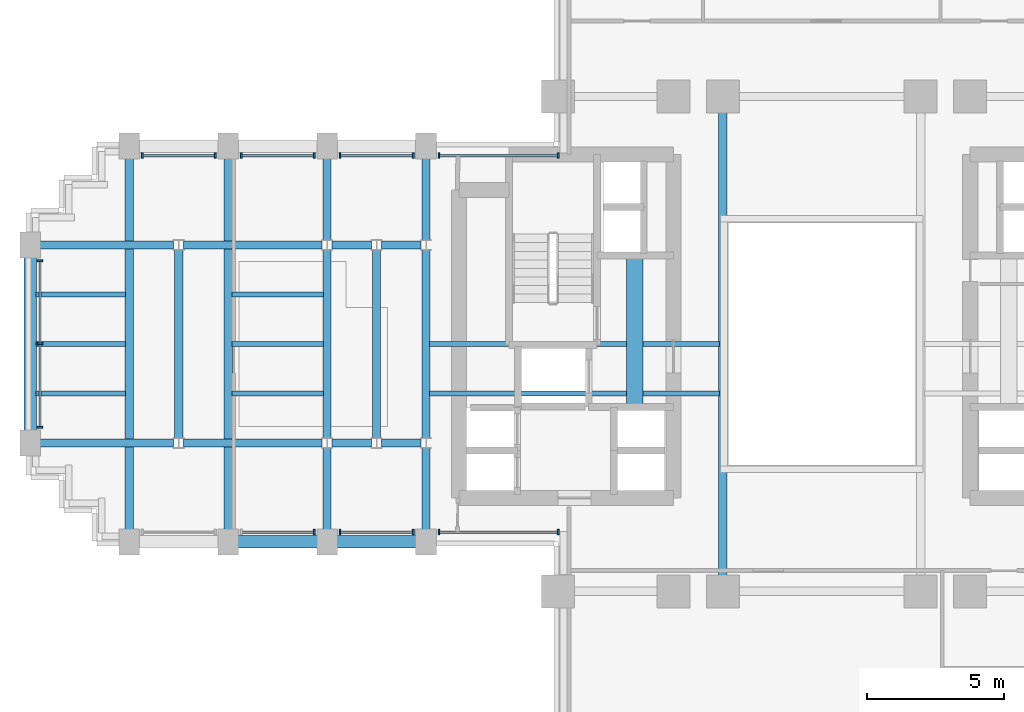
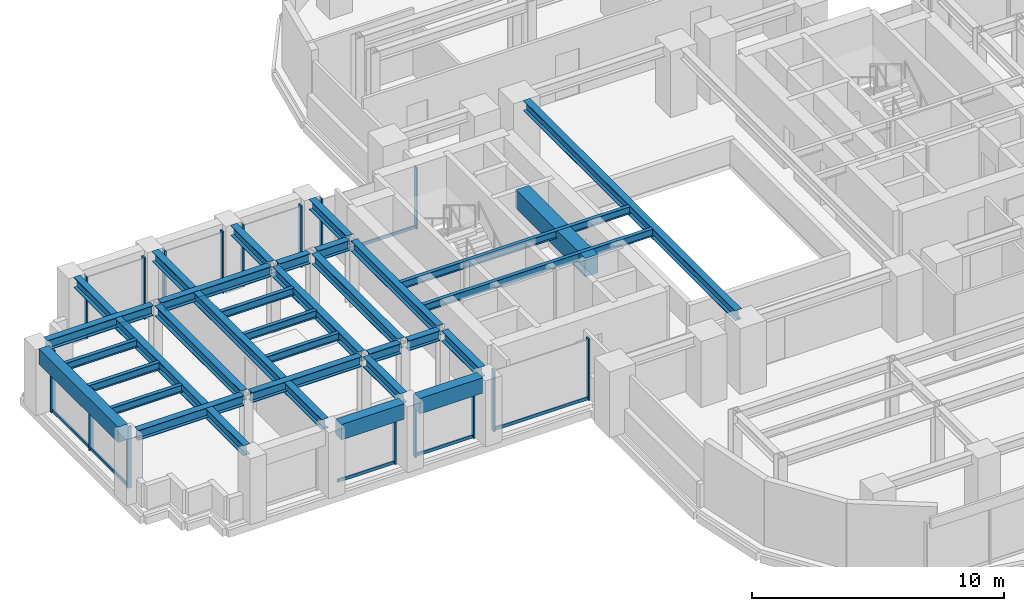
# One storey, part 4 of 16: 31 beams, 25 members, 8 elements without a shape of their own.
"""IFC4 building model written with IfcOpenShell, lengths in metres."""

from ifc_helpers import new_model, si_unit, direction, frame, origin, origin_2d, place, context, subcontext, project, spatial, rectangle, i_section, extrude, source, transform, mapped, material, material_profile, profile_set, type_object, element, aggregate, save


model = new_model("IFC4")

# Units and contexts
model_context = context("Model", 3, precision=1e-05, world=origin(), true_north=direction((0.0, 1.0)))
body_context = subcontext(model_context, "Body", "Model", "MODEL_VIEW")
ifc_project = project(units=[si_unit("LENGTHUNIT", "METRE"), si_unit("AREAUNIT", "SQUARE_METRE"), si_unit("VOLUMEUNIT", "CUBIC_METRE"), si_unit("PLANEANGLEUNIT", "RADIAN"), si_unit("MASSUNIT", "GRAM", prefix="KILO")], contexts=[model_context])

# Site, building, storey
site_placement = place(None, origin())
site = spatial("IfcSite", under=ifc_project, at=site_placement, CompositionType="ELEMENT")
building_placement = place(site_placement, origin())
building = spatial("IfcBuilding", under=site, at=building_placement, Name="Keilestroom Media Tower", CompositionType="ELEMENT")
storey_placement = place(building_placement, frame((0.0, 0.0, 61.199951171875)))
storey = spatial("IfcBuildingStorey", under=building, at=storey_placement, Name="L15", CompositionType="ELEMENT", Elevation=61.199951171875)

# Beams
ifc_material_1 = material(Name="Concrete C70/85", Category="concrete")
ifc_material_profile_1 = material_profile(ifc_material_1, rectangle(XDim=0.60009765625, YDim=0.89990234375, at=origin_2d()), Name="RC 600x900")
ifc_profile_set_1 = profile_set([ifc_material_profile_1], Name="Concrete C70/85")
beam_type_1 = type_object("IfcBeamType", Name="Core-Coupling-Lintel-Beam-RC-600x900", PredefinedType="LINTEL", material=ifc_profile_set_1)
shared_shape_1 = source(origin(), body_context, "Body", "SweptSolid", [
    extrude(rectangle(XDim=0.60009765625, YDim=0.89990234375, at=origin_2d()), origin(), (0.0, 0.0, 1.0), 5.52001953125),
])
beam_1_placement = place(storey_placement, frame((-6.800048828125, -2.300048828125, 2.75), z_axis=(0.0, 1.0, 0.0), x_axis=(-1.0, 0.0, 0.0)))
element("IfcBeam", 1, at=beam_1_placement, inside=storey, type_object=beam_type_1, Name="L15 Beam CLB-1 CLB-L15-W", PredefinedType="LINTEL", context=body_context, shape_type="MappedRepresentation", body=[
    mapped(shared_shape_1, transform((0.0, 0.0, 0.0), x_axis=(1.0, 0.0, 0.0), y_axis=(0.0, 1.0, 0.0), z_axis=(0.0, 0.0, 1.0), scale=1.0)),
])
ifc_material_2 = material(Name="Precast concrete C40/50", Category="concrete")
ifc_material_profile_2 = material_profile(ifc_material_2, rectangle(XDim=0.449951171875, YDim=0.75, at=origin_2d()), Name="PC 450x750")
ifc_profile_set_2 = profile_set([ifc_material_profile_2], Name="Precast concrete C40/50")
beam_type_2 = type_object("IfcBeamType", Name="Perimeter-Spandrel-Beam-PC-450x750", PredefinedType="SPANDREL", material=ifc_profile_set_2)
shared_shape_2 = source(origin(), body_context, "Body", "SweptSolid", [
    extrude(rectangle(XDim=0.449951171875, YDim=0.75, at=origin_2d()), origin(), (0.0, 0.0, 1.0), 6.2900390625),
])
beam_2_placement = place(storey_placement, frame((-28.800048828125, -3.14501953125, 2.824951171875), z_axis=(0.0, 1.0, 0.0), x_axis=(-1.0, 0.0, 0.0)))
element("IfcBeam", 2, at=beam_2_placement, inside=storey, type_object=beam_type_2, Name="L15 Beam SPB-1 BM-L15-NS-051", PredefinedType="SPANDREL", context=body_context, shape_type="MappedRepresentation", body=[
    mapped(shared_shape_2, transform((0.0, 0.0, 0.0), x_axis=(1.0, 0.0, 0.0), y_axis=(0.0, 1.0, 0.0), z_axis=(0.0, 0.0, 1.0), scale=1.0)),
])
shared_shape_3 = source(origin(), body_context, "Body", "SweptSolid", [
    extrude(rectangle(XDim=0.449951171875, YDim=0.75, at=origin_2d()), origin(), (0.0, 0.0, 1.0), 2.89013671875),
])
for number, where, z_axis, x_axis, name in (
    (3, (-21.2451171875, -7.199951171875, 2.824951171875), (1.0, 0.0, 0.0), (0.0, 1.0, 0.0), "L15 Beam SPB-1 BM-L15-EW-013"),
    (4, (-17.64501953125, -7.199951171875, 2.824951171875), (1.0, 0.0, 0.0), (0.0, 1.0, 0.0), "L15 Beam SPB-1 BM-L15-EW-014"),
):
    element("IfcBeam", number, at=place(storey_placement, frame(where, z_axis=z_axis, x_axis=x_axis)), inside=storey, type_object=beam_type_2, Name=name, PredefinedType="SPANDREL", context=body_context, shape_type="MappedRepresentation", body=[
        mapped(shared_shape_3, transform((0.0, 0.0, 0.0), x_axis=(1.0, 0.0, 0.0), y_axis=(0.0, 1.0, 0.0), z_axis=(0.0, 0.0, 1.0), scale=1.0)),
    ])
ifc_material_3 = material(Name="Steel S355", Category="steel")
ifc_material_profile_3 = material_profile(ifc_material_3, i_section(OverallWidth=0.300048828125, OverallDepth=0.5, WebThickness=0.012451171875, FlangeThickness=0.028076171875, at=origin_2d()), Name="HEB 500")
ifc_profile_set_3 = profile_set([ifc_material_profile_3], Name="Steel S355")
beam_type_3 = type_object("IfcBeamType", Name="Primary-Structural-Girder-HEB-500", PredefinedType="BEAM", material=ifc_profile_set_3)
shared_shape_4 = source(origin(), body_context, "Body", "SweptSolid", [
    extrude(i_section(OverallWidth=0.300048828125, OverallDepth=0.5, WebThickness=0.012451171875, FlangeThickness=0.028076171875, at=origin_2d()), origin(), (0.0, 0.0, 1.0), 13.490234375),
])
for number, where, z_axis, x_axis, name in (
    (5, (-25.199951171875, -6.7451171875, 2.949951171875), (0.0, 1.0, 0.0), (-1.0, 0.0, 0.0), "L15 Beam BG-6 BM-L15-NS-052"),
    (6, (-21.60009765625, -6.7451171875, 2.949951171875), (0.0, 1.0, 0.0), (-1.0, 0.0, 0.0), "L15 Beam BG-6 BM-L15-NS-054"),
):
    element("IfcBeam", number, at=place(storey_placement, frame(where, z_axis=z_axis, x_axis=x_axis)), inside=storey, type_object=beam_type_3, Name=name, PredefinedType="BEAM", context=body_context, shape_type="MappedRepresentation", body=[
        mapped(shared_shape_4, transform((0.0, 0.0, 0.0), x_axis=(1.0, 0.0, 0.0), y_axis=(0.0, 1.0, 0.0), z_axis=(0.0, 0.0, 1.0), scale=1.0)),
    ])
shared_shape_5 = source(origin(), body_context, "Body", "SweptSolid", [
    extrude(i_section(OverallWidth=0.300048828125, OverallDepth=0.5, WebThickness=0.012451171875, FlangeThickness=0.028076171875, at=origin_2d()), origin(), (0.0, 0.0, 1.0), 6.8330078125),
])
for number, where, z_axis, x_axis, name in (
    (7, (-23.39990234375, -3.41650390625, 2.949951171875), (0.0, 1.0, 0.0), (-1.0, 0.0, 0.0), "L15 Beam BG-6 BM-L15-NS-053"),
    (8, (-18.0, -3.41650390625, 2.949951171875), (0.0, 1.0, 0.0), (-1.0, 0.0, 0.0), "L15 Beam BG-6 BM-L15-NS-056"),
    (9, (-16.199951171875, -3.41650390625, 2.949951171875), (0.0, 1.0, 0.0), (-1.0, 0.0, 0.0), "L15 Beam BG-6 BM-L15-NS-058"),
    (10, (-14.39990234375, -3.41650390625, 2.949951171875), (0.0, 1.0, 0.0), (-1.0, 0.0, 0.0), "L15 Beam BG-6 BM-L15-NS-060"),
):
    element("IfcBeam", number, at=place(storey_placement, frame(where, z_axis=z_axis, x_axis=x_axis)), inside=storey, type_object=beam_type_3, Name=name, PredefinedType="BEAM", context=body_context, shape_type="MappedRepresentation", body=[
        mapped(shared_shape_5, transform((0.0, 0.0, 0.0), x_axis=(1.0, 0.0, 0.0), y_axis=(0.0, 1.0, 0.0), z_axis=(0.0, 0.0, 1.0), scale=1.0)),
    ])
shared_shape_6 = source(origin(), body_context, "Body", "SweptSolid", [
    extrude(i_section(OverallWidth=0.300048828125, OverallDepth=0.5, WebThickness=0.012451171875, FlangeThickness=0.028076171875, at=origin_2d()), origin(), (0.0, 0.0, 1.0), 2.961669921875),
])
for number, where, z_axis, x_axis, name in (
    (11, (-18.0, -6.7451171875, 2.949951171875), (0.0, 1.0, 0.0), (-1.0, 0.0, 0.0), "L15 Beam BG-6 BM-L15-NS-055"),
    (12, (-18.0, 3.783447265625, 2.949951171875), (0.0, 1.0, 0.0), (-1.0, 0.0, 0.0), "L15 Beam BG-6 BM-L15-NS-057"),
    (13, (-14.39990234375, -6.7451171875, 2.949951171875), (0.0, 1.0, 0.0), (-1.0, 0.0, 0.0), "L15 Beam BG-6 BM-L15-NS-059"),
    (14, (-14.39990234375, 3.783447265625, 2.949951171875), (0.0, 1.0, 0.0), (-1.0, 0.0, 0.0), "L15 Beam BG-6 BM-L15-NS-061"),
):
    element("IfcBeam", number, at=place(storey_placement, frame(where, z_axis=z_axis, x_axis=x_axis)), inside=storey, type_object=beam_type_3, Name=name, PredefinedType="BEAM", context=body_context, shape_type="MappedRepresentation", body=[
        mapped(shared_shape_6, transform((0.0, 0.0, 0.0), x_axis=(1.0, 0.0, 0.0), y_axis=(0.0, 1.0, 0.0), z_axis=(0.0, 0.0, 1.0), scale=1.0)),
    ])
shared_shape_7 = source(origin(), body_context, "Body", "SweptSolid", [
    extrude(i_section(OverallWidth=0.300048828125, OverallDepth=0.5, WebThickness=0.012451171875, FlangeThickness=0.028076171875, at=origin_2d()), origin(), (0.0, 0.0, 1.0), 16.83984375),
])
beam_3_placement = place(storey_placement, frame((-3.60009765625, -8.419921875, 2.949951171875), z_axis=(0.0, 1.0, 0.0), x_axis=(-1.0, 0.0, 0.0)))
element("IfcBeam", 15, at=beam_3_placement, inside=storey, type_object=beam_type_3, Name="L15 Beam BG-6 BM-L15-NS-066", PredefinedType="BEAM", context=body_context, shape_type="MappedRepresentation", body=[
    mapped(shared_shape_7, transform((0.0, 0.0, 0.0), x_axis=(1.0, 0.0, 0.0), y_axis=(0.0, 1.0, 0.0), z_axis=(0.0, 0.0, 1.0), scale=1.0)),
])
ifc_material_profile_4 = material_profile(ifc_material_3, i_section(OverallWidth=0.300048828125, OverallDepth=0.489990234375, WebThickness=0.011962890625, FlangeThickness=0.02294921875, at=origin_2d()), Name="HEA 500")
ifc_profile_set_4 = profile_set([ifc_material_profile_4], Name="Steel S355")
beam_type_4 = type_object("IfcBeamType", Name="Primary-Structural-Girder-HEA-500", PredefinedType="BEAM", material=ifc_profile_set_4)
shared_shape_8 = source(origin(), body_context, "Body", "SweptSolid", [
    extrude(i_section(OverallWidth=0.300048828125, OverallDepth=0.489990234375, WebThickness=0.011962890625, FlangeThickness=0.02294921875, at=origin_2d()), origin(), (0.0, 0.0, 1.0), 4.863037109375),
])
for number, where, z_axis, x_axis, name in (
    (16, (-28.445068359375, -3.60009765625, 2.955078125), (1.0, 0.0, 0.0), (0.0, 1.0, 0.0), "L15 Beam BG-10 BM-L15-EW-018"),
    (17, (-28.445068359375, 3.60009765625, 2.955078125), (1.0, 0.0, 0.0), (0.0, 1.0, 0.0), "L15 Beam BG-10 BM-L15-EW-026"),
):
    element("IfcBeam", number, at=place(storey_placement, frame(where, z_axis=z_axis, x_axis=x_axis)), inside=storey, type_object=beam_type_4, Name=name, PredefinedType="BEAM", context=body_context, shape_type="MappedRepresentation", body=[
        mapped(shared_shape_8, transform((0.0, 0.0, 0.0), x_axis=(1.0, 0.0, 0.0), y_axis=(0.0, 1.0, 0.0), z_axis=(0.0, 0.0, 1.0), scale=1.0)),
    ])
shared_shape_9 = source(origin(), body_context, "Body", "SweptSolid", [
    extrude(i_section(OverallWidth=0.300048828125, OverallDepth=0.489990234375, WebThickness=0.011962890625, FlangeThickness=0.02294921875, at=origin_2d()), origin(), (0.0, 0.0, 1.0), 5.0361328125),
])
for number, where, z_axis, x_axis, name in (
    (18, (-23.218017578125, -3.60009765625, 2.955078125), (1.0, 0.0, 0.0), (0.0, 1.0, 0.0), "L15 Beam BG-10 BM-L15-EW-019"),
    (19, (-23.218017578125, 3.60009765625, 2.955078125), (1.0, 0.0, 0.0), (0.0, 1.0, 0.0), "L15 Beam BG-10 BM-L15-EW-027"),
):
    element("IfcBeam", number, at=place(storey_placement, frame(where, z_axis=z_axis, x_axis=x_axis)), inside=storey, type_object=beam_type_4, Name=name, PredefinedType="BEAM", context=body_context, shape_type="MappedRepresentation", body=[
        mapped(shared_shape_9, transform((0.0, 0.0, 0.0), x_axis=(1.0, 0.0, 0.0), y_axis=(0.0, 1.0, 0.0), z_axis=(0.0, 0.0, 1.0), scale=1.0)),
    ])
shared_shape_10 = source(origin(), body_context, "Body", "SweptSolid", [
    extrude(i_section(OverallWidth=0.300048828125, OverallDepth=0.489990234375, WebThickness=0.011962890625, FlangeThickness=0.02294921875, at=origin_2d()), origin(), (0.0, 0.0, 1.0), 1.43603515625),
])
for number, where, z_axis, x_axis, name in (
    (20, (-17.818115234375, -3.60009765625, 2.955078125), (1.0, 0.0, 0.0), (0.0, 1.0, 0.0), "L15 Beam BG-10 BM-L15-EW-020"),
    (21, (-16.01806640625, -3.60009765625, 2.955078125), (1.0, 0.0, 0.0), (0.0, 1.0, 0.0), "L15 Beam BG-10 BM-L15-EW-021"),
    (22, (-17.818115234375, 3.60009765625, 2.955078125), (1.0, 0.0, 0.0), (0.0, 1.0, 0.0), "L15 Beam BG-10 BM-L15-EW-028"),
    (23, (-16.01806640625, 3.60009765625, 2.955078125), (1.0, 0.0, 0.0), (0.0, 1.0, 0.0), "L15 Beam BG-10 BM-L15-EW-029"),
):
    element("IfcBeam", number, at=place(storey_placement, frame(where, z_axis=z_axis, x_axis=x_axis)), inside=storey, type_object=beam_type_4, Name=name, PredefinedType="BEAM", context=body_context, shape_type="MappedRepresentation", body=[
        mapped(shared_shape_10, transform((0.0, 0.0, 0.0), x_axis=(1.0, 0.0, 0.0), y_axis=(0.0, 1.0, 0.0), z_axis=(0.0, 0.0, 1.0), scale=1.0)),
    ])
ifc_material_profile_5 = material_profile(ifc_material_3, i_section(OverallWidth=0.169921875, OverallDepth=0.360107421875, WebThickness=0.008056640625, FlangeThickness=0.0126953125, at=origin_2d()), Name="IPE 360")
ifc_profile_set_5 = profile_set([ifc_material_profile_5], Name="Steel S355")
beam_type_5 = type_object("IfcBeamType", Name="Secondary-Floor-Joist-IPE-360", PredefinedType="JOIST", material=ifc_profile_set_5)
shared_shape_11 = source(origin(), body_context, "Body", "SweptSolid", [
    extrude(i_section(OverallWidth=0.169921875, OverallDepth=0.360107421875, WebThickness=0.008056640625, FlangeThickness=0.0126953125, at=origin_2d()), origin(), (0.0, 0.0, 1.0), 3.264892578125),
])
for number, where, z_axis, x_axis, name in (
    (24, (-28.594970703125, -1.800048828125, 3.02001953125), (1.0, 0.0, 0.0), (0.0, 1.0, 0.0), "L15 Beam BJ-5 JST-L15-089"),
    (25, (-28.594970703125, 0.0, 3.02001953125), (1.0, 0.0, 0.0), (0.0, 1.0, 0.0), "L15 Beam BJ-5 JST-L15-096"),
    (26, (-28.594970703125, 1.800048828125, 3.02001953125), (1.0, 0.0, 0.0), (0.0, 1.0, 0.0), "L15 Beam BJ-5 JST-L15-103"),
):
    element("IfcBeam", number, at=place(storey_placement, frame(where, z_axis=z_axis, x_axis=x_axis)), inside=storey, type_object=beam_type_5, Name=name, PredefinedType="JOIST", context=body_context, shape_type="MappedRepresentation", body=[
        mapped(shared_shape_11, transform((0.0, 0.0, 0.0), x_axis=(1.0, 0.0, 0.0), y_axis=(0.0, 1.0, 0.0), z_axis=(0.0, 0.0, 1.0), scale=1.0)),
    ])
shared_shape_12 = source(origin(), body_context, "Body", "SweptSolid", [
    extrude(i_section(OverallWidth=0.169921875, OverallDepth=0.360107421875, WebThickness=0.008056640625, FlangeThickness=0.0126953125, at=origin_2d()), origin(), (0.0, 0.0, 1.0), 3.340087890625),
])
for number, where, z_axis, x_axis, name in (
    (27, (-21.469970703125, -1.800048828125, 3.02001953125), (1.0, 0.0, 0.0), (0.0, 1.0, 0.0), "L15 Beam BJ-5 JST-L15-090"),
    (28, (-21.469970703125, 0.0, 3.02001953125), (1.0, 0.0, 0.0), (0.0, 1.0, 0.0), "L15 Beam BJ-5 JST-L15-097"),
    (29, (-21.469970703125, 1.800048828125, 3.02001953125), (1.0, 0.0, 0.0), (0.0, 1.0, 0.0), "L15 Beam BJ-5 JST-L15-104"),
):
    element("IfcBeam", number, at=place(storey_placement, frame(where, z_axis=z_axis, x_axis=x_axis)), inside=storey, type_object=beam_type_5, Name=name, PredefinedType="JOIST", context=body_context, shape_type="MappedRepresentation", body=[
        mapped(shared_shape_12, transform((0.0, 0.0, 0.0), x_axis=(1.0, 0.0, 0.0), y_axis=(0.0, 1.0, 0.0), z_axis=(0.0, 0.0, 1.0), scale=1.0)),
    ])
shared_shape_13 = source(origin(), body_context, "Body", "SweptSolid", [
    extrude(i_section(OverallWidth=0.169921875, OverallDepth=0.360107421875, WebThickness=0.008056640625, FlangeThickness=0.0126953125, at=origin_2d()), origin(), (0.0, 0.0, 1.0), 10.5400390625),
])
for number, where, z_axis, x_axis, name in (
    (30, (-14.27001953125, -1.800048828125, 3.02001953125), (1.0, 0.0, 0.0), (0.0, 1.0, 0.0), "L15 Beam BJ-5 JST-L15-091"),
    (31, (-14.27001953125, 0.0, 3.02001953125), (1.0, 0.0, 0.0), (0.0, 1.0, 0.0), "L15 Beam BJ-5 JST-L15-098"),
):
    element("IfcBeam", number, at=place(storey_placement, frame(where, z_axis=z_axis, x_axis=x_axis)), inside=storey, type_object=beam_type_5, Name=name, PredefinedType="JOIST", context=body_context, shape_type="MappedRepresentation", body=[
        mapped(shared_shape_13, transform((0.0, 0.0, 0.0), x_axis=(1.0, 0.0, 0.0), y_axis=(0.0, 1.0, 0.0), z_axis=(0.0, 0.0, 1.0), scale=1.0)),
    ])

# Curtain wall, members
ifc_material_4 = material(Name="Anodised Aluminium Alloy", Category="aluminium")
curtain_wall_type = type_object("IfcCurtainWallType", Name="Unitised-Curtain-Wall-CW-1", PredefinedType="NOTDEFINED", material=ifc_material_4)
curtain_wall_1_placement = place(storey_placement, origin())
curtain_wall_1 = element("IfcCurtainWall", 32, at=curtain_wall_1_placement, inside=storey, type_object=curtain_wall_type, Name="L15 Curtain Wall CW-1 CW-L15-W-1", PredefinedType="NOTDEFINED")
ifc_material_profile_6 = material_profile(ifc_material_4, rectangle(XDim=0.070068359375, YDim=0.199951171875, at=origin_2d()), Name="ALU MULLION 70x200")
ifc_profile_set_6 = profile_set([ifc_material_profile_6], Name="Anodised Aluminium Alloy")
member_type_1 = type_object("IfcMemberType", Name="Curtain-Wall-Mullion-CW-1", PredefinedType="MULLION", material=ifc_profile_set_6)
shared_shape_14 = source(origin(), body_context, "Body", "SweptSolid", [
    extrude(rectangle(XDim=0.070068359375, YDim=0.199951171875, at=origin_2d()), origin(), (0.0, 0.0, 1.0), 2.97998046875),
])
member_1_placement = place(storey_placement, frame((-28.449951171875, -3.030029296875, 0.0), z_axis=(0.0, 0.0, 1.0), x_axis=(0.0, 1.0, 0.0)))
member_1 = element("IfcMember", 33, at=member_1_placement, type_object=member_type_1, Name="CW-1 Mullion 00", PredefinedType="MULLION", context=body_context, shape_type="MappedRepresentation", body=[
    mapped(shared_shape_14, transform((0.0, 0.0, 0.0), x_axis=(1.0, 0.0, 0.0), y_axis=(0.0, 1.0, 0.0), z_axis=(0.0, 0.0, 1.0), scale=1.0)),
])
member_2_placement = place(storey_placement, frame((-28.449951171875, 0.0, 0.0), z_axis=(0.0, 0.0, 1.0), x_axis=(0.0, 1.0, 0.0)))
member_2 = element("IfcMember", 34, at=member_2_placement, type_object=member_type_1, Name="CW-1 Mullion 01", PredefinedType="MULLION", context=body_context, shape_type="MappedRepresentation", body=[
    mapped(shared_shape_14, transform((0.0, 0.0, 0.0), x_axis=(1.0, 0.0, 0.0), y_axis=(0.0, 1.0, 0.0), z_axis=(0.0, 0.0, 1.0), scale=1.0)),
])
member_3_placement = place(storey_placement, frame((-28.449951171875, 3.030029296875, 0.0), z_axis=(0.0, 0.0, 1.0), x_axis=(0.0, 1.0, 0.0)))
member_3 = element("IfcMember", 35, at=member_3_placement, type_object=member_type_1, Name="CW-1 Mullion 02", PredefinedType="MULLION", context=body_context, shape_type="MappedRepresentation", body=[
    mapped(shared_shape_14, transform((0.0, 0.0, 0.0), x_axis=(1.0, 0.0, 0.0), y_axis=(0.0, 1.0, 0.0), z_axis=(0.0, 0.0, 1.0), scale=1.0)),
])

curtain_wall_2_placement = place(storey_placement, origin())
curtain_wall_2 = element("IfcCurtainWall", 36, at=curtain_wall_2_placement, inside=storey, type_object=curtain_wall_type, Name="L15 Curtain Wall CW-1 CW-L15-NW-1", PredefinedType="NOTDEFINED")
member_4_placement = place(storey_placement, frame((-24.72998046875, 6.85009765625, 0.0), z_axis=(0.0, 0.0, 1.0), x_axis=(1.0, 0.0, 0.0)))
member_4 = element("IfcMember", 37, at=member_4_placement, type_object=member_type_1, Name="CW-1 Mullion 00", PredefinedType="MULLION", context=body_context, shape_type="MappedRepresentation", body=[
    mapped(shared_shape_14, transform((0.0, 0.0, 0.0), x_axis=(1.0, 0.0, 0.0), y_axis=(0.0, 1.0, 0.0), z_axis=(0.0, 0.0, 1.0), scale=1.0)),
])
member_5_placement = place(storey_placement, frame((-22.070068359375, 6.85009765625, 0.0), z_axis=(0.0, 0.0, 1.0), x_axis=(1.0, 0.0, 0.0)))
member_5 = element("IfcMember", 38, at=member_5_placement, type_object=member_type_1, Name="CW-1 Mullion 01", PredefinedType="MULLION", context=body_context, shape_type="MappedRepresentation", body=[
    mapped(shared_shape_14, transform((0.0, 0.0, 0.0), x_axis=(1.0, 0.0, 0.0), y_axis=(0.0, 1.0, 0.0), z_axis=(0.0, 0.0, 1.0), scale=1.0)),
])

curtain_wall_3_placement = place(storey_placement, origin())
curtain_wall_3 = element("IfcCurtainWall", 39, at=curtain_wall_3_placement, inside=storey, type_object=curtain_wall_type, Name="L15 Curtain Wall CW-1 CW-L15-NW-2", PredefinedType="NOTDEFINED")
member_6_placement = place(storey_placement, frame((-21.1298828125, 6.85009765625, 0.0), z_axis=(0.0, 0.0, 1.0), x_axis=(1.0, 0.0, 0.0)))
member_6 = element("IfcMember", 40, at=member_6_placement, type_object=member_type_1, Name="CW-1 Mullion 00", PredefinedType="MULLION", context=body_context, shape_type="MappedRepresentation", body=[
    mapped(shared_shape_14, transform((0.0, 0.0, 0.0), x_axis=(1.0, 0.0, 0.0), y_axis=(0.0, 1.0, 0.0), z_axis=(0.0, 0.0, 1.0), scale=1.0)),
])
member_7_placement = place(storey_placement, frame((-18.469970703125, 6.85009765625, 0.0), z_axis=(0.0, 0.0, 1.0), x_axis=(1.0, 0.0, 0.0)))
member_7 = element("IfcMember", 41, at=member_7_placement, type_object=member_type_1, Name="CW-1 Mullion 01", PredefinedType="MULLION", context=body_context, shape_type="MappedRepresentation", body=[
    mapped(shared_shape_14, transform((0.0, 0.0, 0.0), x_axis=(1.0, 0.0, 0.0), y_axis=(0.0, 1.0, 0.0), z_axis=(0.0, 0.0, 1.0), scale=1.0)),
])

curtain_wall_4_placement = place(storey_placement, origin())
curtain_wall_4 = element("IfcCurtainWall", 42, at=curtain_wall_4_placement, inside=storey, type_object=curtain_wall_type, Name="L15 Curtain Wall CW-1 CW-L15-NW-3", PredefinedType="NOTDEFINED")
member_8_placement = place(storey_placement, frame((-17.530029296875, 6.85009765625, 0.0), z_axis=(0.0, 0.0, 1.0), x_axis=(1.0, 0.0, 0.0)))
member_8 = element("IfcMember", 43, at=member_8_placement, type_object=member_type_1, Name="CW-1 Mullion 00", PredefinedType="MULLION", context=body_context, shape_type="MappedRepresentation", body=[
    mapped(shared_shape_14, transform((0.0, 0.0, 0.0), x_axis=(1.0, 0.0, 0.0), y_axis=(0.0, 1.0, 0.0), z_axis=(0.0, 0.0, 1.0), scale=1.0)),
])
member_9_placement = place(storey_placement, frame((-14.8701171875, 6.85009765625, 0.0), z_axis=(0.0, 0.0, 1.0), x_axis=(1.0, 0.0, 0.0)))
member_9 = element("IfcMember", 44, at=member_9_placement, type_object=member_type_1, Name="CW-1 Mullion 01", PredefinedType="MULLION", context=body_context, shape_type="MappedRepresentation", body=[
    mapped(shared_shape_14, transform((0.0, 0.0, 0.0), x_axis=(1.0, 0.0, 0.0), y_axis=(0.0, 1.0, 0.0), z_axis=(0.0, 0.0, 1.0), scale=1.0)),
])

curtain_wall_5_placement = place(storey_placement, origin())
curtain_wall_5 = element("IfcCurtainWall", 45, at=curtain_wall_5_placement, inside=storey, type_object=curtain_wall_type, Name="L15 Curtain Wall CW-1 CW-L15-NW-4", PredefinedType="NOTDEFINED")
member_10_placement = place(storey_placement, frame((-13.929931640625, 6.85009765625, 0.0), z_axis=(0.0, 0.0, 1.0), x_axis=(1.0, 0.0, 0.0)))
member_10 = element("IfcMember", 46, at=member_10_placement, type_object=member_type_1, Name="CW-1 Mullion 00", PredefinedType="MULLION", context=body_context, shape_type="MappedRepresentation", body=[
    mapped(shared_shape_14, transform((0.0, 0.0, 0.0), x_axis=(1.0, 0.0, 0.0), y_axis=(0.0, 1.0, 0.0), z_axis=(0.0, 0.0, 1.0), scale=1.0)),
])
member_11_placement = place(storey_placement, frame((-9.5849609375, 6.85009765625, 0.0), z_axis=(0.0, 0.0, 1.0), x_axis=(1.0, 0.0, 0.0)))
member_11 = element("IfcMember", 47, at=member_11_placement, type_object=member_type_1, Name="CW-1 Mullion 01", PredefinedType="MULLION", context=body_context, shape_type="MappedRepresentation", body=[
    mapped(shared_shape_14, transform((0.0, 0.0, 0.0), x_axis=(1.0, 0.0, 0.0), y_axis=(0.0, 1.0, 0.0), z_axis=(0.0, 0.0, 1.0), scale=1.0)),
])

# Curtain wall, member
curtain_wall_6_placement = place(storey_placement, origin())
curtain_wall_6 = element("IfcCurtainWall", 48, at=curtain_wall_6_placement, inside=storey, type_object=curtain_wall_type, Name="L15 Curtain Wall CW-1 CW-L15-SW-2", PredefinedType="NOTDEFINED")
member_12_placement = place(storey_placement, frame((-18.469970703125, -6.85009765625, 0.0), z_axis=(0.0, 0.0, 1.0), x_axis=(1.0, 0.0, 0.0)))
member_12 = element("IfcMember", 49, at=member_12_placement, type_object=member_type_1, Name="CW-1 Mullion 01", PredefinedType="MULLION", context=body_context, shape_type="MappedRepresentation", body=[
    mapped(shared_shape_14, transform((0.0, 0.0, 0.0), x_axis=(1.0, 0.0, 0.0), y_axis=(0.0, 1.0, 0.0), z_axis=(0.0, 0.0, 1.0), scale=1.0)),
])

# Curtain wall, members
curtain_wall_7_placement = place(storey_placement, origin())
curtain_wall_7 = element("IfcCurtainWall", 50, at=curtain_wall_7_placement, inside=storey, type_object=curtain_wall_type, Name="L15 Curtain Wall CW-1 CW-L15-SW-3", PredefinedType="NOTDEFINED")
member_13_placement = place(storey_placement, frame((-17.530029296875, -6.85009765625, 0.0), z_axis=(0.0, 0.0, 1.0), x_axis=(1.0, 0.0, 0.0)))
member_13 = element("IfcMember", 51, at=member_13_placement, type_object=member_type_1, Name="CW-1 Mullion 00", PredefinedType="MULLION", context=body_context, shape_type="MappedRepresentation", body=[
    mapped(shared_shape_14, transform((0.0, 0.0, 0.0), x_axis=(1.0, 0.0, 0.0), y_axis=(0.0, 1.0, 0.0), z_axis=(0.0, 0.0, 1.0), scale=1.0)),
])
member_14_placement = place(storey_placement, frame((-14.8701171875, -6.85009765625, 0.0), z_axis=(0.0, 0.0, 1.0), x_axis=(1.0, 0.0, 0.0)))
member_14 = element("IfcMember", 52, at=member_14_placement, type_object=member_type_1, Name="CW-1 Mullion 01", PredefinedType="MULLION", context=body_context, shape_type="MappedRepresentation", body=[
    mapped(shared_shape_14, transform((0.0, 0.0, 0.0), x_axis=(1.0, 0.0, 0.0), y_axis=(0.0, 1.0, 0.0), z_axis=(0.0, 0.0, 1.0), scale=1.0)),
])

curtain_wall_8_placement = place(storey_placement, origin())
curtain_wall_8 = element("IfcCurtainWall", 53, at=curtain_wall_8_placement, inside=storey, type_object=curtain_wall_type, Name="L15 Curtain Wall CW-1 CW-L15-SW-4", PredefinedType="NOTDEFINED")
member_15_placement = place(storey_placement, frame((-13.929931640625, -6.85009765625, 0.0), z_axis=(0.0, 0.0, 1.0), x_axis=(1.0, 0.0, 0.0)))
member_15 = element("IfcMember", 54, at=member_15_placement, type_object=member_type_1, Name="CW-1 Mullion 00", PredefinedType="MULLION", context=body_context, shape_type="MappedRepresentation", body=[
    mapped(shared_shape_14, transform((0.0, 0.0, 0.0), x_axis=(1.0, 0.0, 0.0), y_axis=(0.0, 1.0, 0.0), z_axis=(0.0, 0.0, 1.0), scale=1.0)),
])
member_16_placement = place(storey_placement, frame((-9.5849609375, -6.85009765625, 0.0), z_axis=(0.0, 0.0, 1.0), x_axis=(1.0, 0.0, 0.0)))
member_16 = element("IfcMember", 55, at=member_16_placement, type_object=member_type_1, Name="CW-1 Mullion 01", PredefinedType="MULLION", context=body_context, shape_type="MappedRepresentation", body=[
    mapped(shared_shape_14, transform((0.0, 0.0, 0.0), x_axis=(1.0, 0.0, 0.0), y_axis=(0.0, 1.0, 0.0), z_axis=(0.0, 0.0, 1.0), scale=1.0)),
])

# Member
ifc_material_profile_7 = material_profile(ifc_material_4, rectangle(XDim=0.06494140625, YDim=0.14990234375, at=origin_2d()), Name="ALU TRANSOM 65x150")
ifc_profile_set_7 = profile_set([ifc_material_profile_7], Name="Anodised Aluminium Alloy")
member_type_2 = type_object("IfcMemberType", Name="Curtain-Wall-Transom-CW-1", PredefinedType="USERDEFINED", material=ifc_profile_set_7)
shared_shape_15 = source(origin(), body_context, "Body", "SweptSolid", [
    extrude(rectangle(XDim=0.06494140625, YDim=0.14990234375, at=origin_2d()), origin(), (0.0, 0.0, 1.0), 2.964111328125),
])
member_17_placement = place(storey_placement, frame((-28.449951171875, -2.9970703125, 0.074951171875), z_axis=(0.0, 1.0, 0.0), x_axis=(-1.0, 0.0, 0.0)))
member_17 = element("IfcMember", 56, at=member_17_placement, type_object=member_type_2, Name="CW-1 Transom 00.1", ObjectType="TRANSOM", PredefinedType="USERDEFINED", context=body_context, shape_type="MappedRepresentation", body=[
    mapped(shared_shape_15, transform((0.0, 0.0, 0.0), x_axis=(1.0, 0.0, 0.0), y_axis=(0.0, 1.0, 0.0), z_axis=(0.0, 0.0, 1.0), scale=1.0)),
])

member_18_placement = place(storey_placement, frame((-28.449951171875, 0.032958984375, 0.074951171875), z_axis=(0.0, 1.0, 0.0), x_axis=(-1.0, 0.0, 0.0)))
member_18 = element("IfcMember", 57, at=member_18_placement, type_object=member_type_2, Name="CW-1 Transom 01.1", ObjectType="TRANSOM", PredefinedType="USERDEFINED", context=body_context, shape_type="MappedRepresentation", body=[
    mapped(shared_shape_15, transform((0.0, 0.0, 0.0), x_axis=(1.0, 0.0, 0.0), y_axis=(0.0, 1.0, 0.0), z_axis=(0.0, 0.0, 1.0), scale=1.0)),
])

aggregate(curtain_wall_1, [member_1, member_2, member_3, member_17, member_18])

shared_shape_16 = source(origin(), body_context, "Body", "SweptSolid", [
    extrude(rectangle(XDim=0.06494140625, YDim=0.14990234375, at=origin_2d()), origin(), (0.0, 0.0, 1.0), 2.593994140625),
])
member_19_placement = place(storey_placement, frame((-24.697021484375, 6.85009765625, 0.074951171875), z_axis=(1.0, 0.0, 0.0), x_axis=(0.0, 1.0, 0.0)))
member_19 = element("IfcMember", 58, at=member_19_placement, type_object=member_type_2, Name="CW-1 Transom 00.1", ObjectType="TRANSOM", PredefinedType="USERDEFINED", context=body_context, shape_type="MappedRepresentation", body=[
    mapped(shared_shape_16, transform((0.0, 0.0, 0.0), x_axis=(1.0, 0.0, 0.0), y_axis=(0.0, 1.0, 0.0), z_axis=(0.0, 0.0, 1.0), scale=1.0)),
])

aggregate(curtain_wall_2, [member_4, member_5, member_19])

member_20_placement = place(storey_placement, frame((-21.096923828125, 6.85009765625, 0.074951171875), z_axis=(1.0, 0.0, 0.0), x_axis=(0.0, 1.0, 0.0)))
member_20 = element("IfcMember", 59, at=member_20_placement, type_object=member_type_2, Name="CW-1 Transom 00.1", ObjectType="TRANSOM", PredefinedType="USERDEFINED", context=body_context, shape_type="MappedRepresentation", body=[
    mapped(shared_shape_16, transform((0.0, 0.0, 0.0), x_axis=(1.0, 0.0, 0.0), y_axis=(0.0, 1.0, 0.0), z_axis=(0.0, 0.0, 1.0), scale=1.0)),
])

aggregate(curtain_wall_3, [member_6, member_7, member_20])

member_21_placement = place(storey_placement, frame((-17.4970703125, 6.85009765625, 0.074951171875), z_axis=(1.0, 0.0, 0.0), x_axis=(0.0, 1.0, 0.0)))
member_21 = element("IfcMember", 60, at=member_21_placement, type_object=member_type_2, Name="CW-1 Transom 00.1", ObjectType="TRANSOM", PredefinedType="USERDEFINED", context=body_context, shape_type="MappedRepresentation", body=[
    mapped(shared_shape_16, transform((0.0, 0.0, 0.0), x_axis=(1.0, 0.0, 0.0), y_axis=(0.0, 1.0, 0.0), z_axis=(0.0, 0.0, 1.0), scale=1.0)),
])

aggregate(curtain_wall_4, [member_8, member_9, member_21])

member_22_placement = place(storey_placement, frame((-21.096923828125, -6.85009765625, 0.074951171875), z_axis=(1.0, 0.0, 0.0), x_axis=(0.0, 1.0, 0.0)))
member_22 = element("IfcMember", 61, at=member_22_placement, type_object=member_type_2, Name="CW-1 Transom 00.1", ObjectType="TRANSOM", PredefinedType="USERDEFINED", context=body_context, shape_type="MappedRepresentation", body=[
    mapped(shared_shape_16, transform((0.0, 0.0, 0.0), x_axis=(1.0, 0.0, 0.0), y_axis=(0.0, 1.0, 0.0), z_axis=(0.0, 0.0, 1.0), scale=1.0)),
])

aggregate(curtain_wall_6, [member_12, member_22])

member_23_placement = place(storey_placement, frame((-17.4970703125, -6.85009765625, 0.074951171875), z_axis=(1.0, 0.0, 0.0), x_axis=(0.0, 1.0, 0.0)))
member_23 = element("IfcMember", 62, at=member_23_placement, type_object=member_type_2, Name="CW-1 Transom 00.1", ObjectType="TRANSOM", PredefinedType="USERDEFINED", context=body_context, shape_type="MappedRepresentation", body=[
    mapped(shared_shape_16, transform((0.0, 0.0, 0.0), x_axis=(1.0, 0.0, 0.0), y_axis=(0.0, 1.0, 0.0), z_axis=(0.0, 0.0, 1.0), scale=1.0)),
])

aggregate(curtain_wall_7, [member_13, member_14, member_23])

shared_shape_17 = source(origin(), body_context, "Body", "SweptSolid", [
    extrude(rectangle(XDim=0.06494140625, YDim=0.14990234375, at=origin_2d()), origin(), (0.0, 0.0, 1.0), 4.279052734375),
])
member_24_placement = place(storey_placement, frame((-13.89697265625, 6.85009765625, 0.074951171875), z_axis=(1.0, 0.0, 0.0), x_axis=(0.0, 1.0, 0.0)))
member_24 = element("IfcMember", 63, at=member_24_placement, type_object=member_type_2, Name="CW-1 Transom 00.1", ObjectType="TRANSOM", PredefinedType="USERDEFINED", context=body_context, shape_type="MappedRepresentation", body=[
    mapped(shared_shape_17, transform((0.0, 0.0, 0.0), x_axis=(1.0, 0.0, 0.0), y_axis=(0.0, 1.0, 0.0), z_axis=(0.0, 0.0, 1.0), scale=1.0)),
])

aggregate(curtain_wall_5, [member_10, member_11, member_24])

member_25_placement = place(storey_placement, frame((-13.89697265625, -6.85009765625, 0.074951171875), z_axis=(1.0, 0.0, 0.0), x_axis=(0.0, 1.0, 0.0)))
member_25 = element("IfcMember", 64, at=member_25_placement, type_object=member_type_2, Name="CW-1 Transom 00.1", ObjectType="TRANSOM", PredefinedType="USERDEFINED", context=body_context, shape_type="MappedRepresentation", body=[
    mapped(shared_shape_17, transform((0.0, 0.0, 0.0), x_axis=(1.0, 0.0, 0.0), y_axis=(0.0, 1.0, 0.0), z_axis=(0.0, 0.0, 1.0), scale=1.0)),
])

aggregate(curtain_wall_8, [member_15, member_16, member_25])

save(model, "model.ifc")
